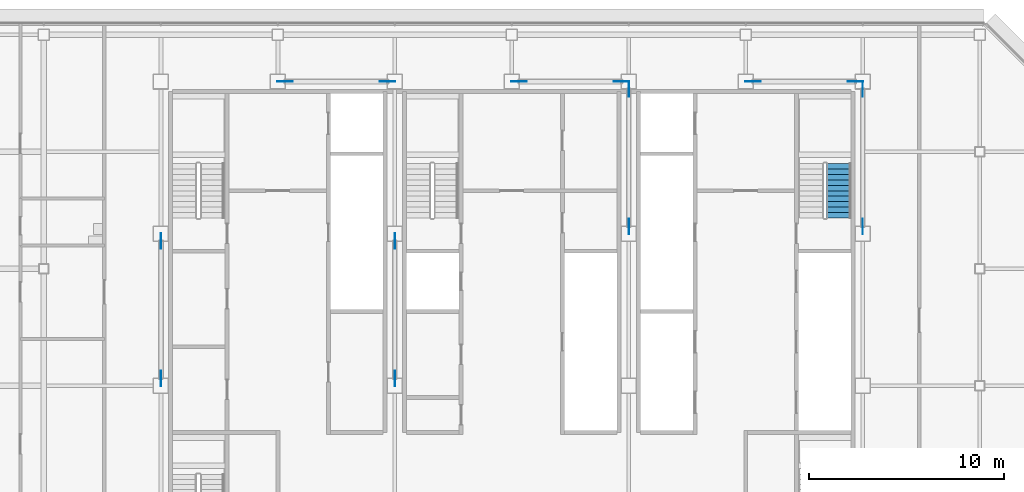
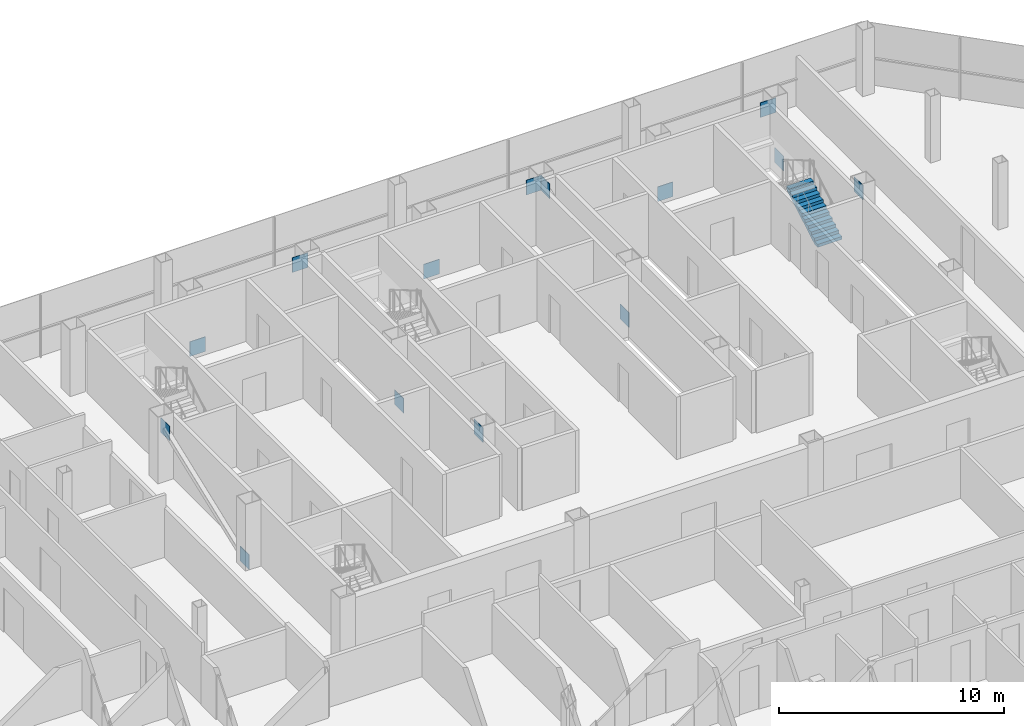
# One storey, part 26 of 28: 14 discrete accessories, 1 stair flight, 1 element without a shape of its own.
"""IFC4 building model written with IfcOpenShell, lengths in metres."""

from ifc_helpers import new_model, si_unit, direction, frame, origin, origin_2d, place, context, subcontext, project, spatial, polyline, rectangle, outline, extrude, material, layer, layer_set, type_object, element, aggregate, save


model = new_model("IFC4")

# Units and contexts
model_context = context("Model", 3, precision=1e-05, world=origin(), true_north=direction((0.0, 1.0)))
body_context = subcontext(model_context, "Body", "Model", "MODEL_VIEW")
ifc_project = project(units=[si_unit("LENGTHUNIT", "METRE"), si_unit("AREAUNIT", "SQUARE_METRE"), si_unit("VOLUMEUNIT", "CUBIC_METRE"), si_unit("PLANEANGLEUNIT", "RADIAN"), si_unit("MASSUNIT", "GRAM", prefix="KILO")], contexts=[model_context])

# Site, building, storey
site_placement = place(None, origin())
site = spatial("IfcSite", under=ifc_project, at=site_placement, CompositionType="ELEMENT")
building_placement = place(site_placement, origin())
building = spatial("IfcBuilding", under=site, at=building_placement, Name="Sorahane Residences", CompositionType="ELEMENT")
storey_placement = place(building_placement, frame((0.0, 0.0, 254.0)))
storey = spatial("IfcBuildingStorey", under=building, at=storey_placement, Name="L60", CompositionType="ELEMENT", Elevation=254.0)

# Stair, stair flight
ifc_material_1 = material(Name="Concrete C40", Category="concrete")
stair_type = type_object("IfcStairType", Name="Dog-leg stair 1250 Concrete C40", PredefinedType="HALF_TURN_STAIR", material=ifc_material_1)
stair_placement = place(storey_placement, origin())
stair = element("IfcStair", 1, at=stair_placement, inside=storey, type_object=stair_type, Name="L60 Stair S2", PredefinedType="HALF_TURN_STAIR")
ifc_material_2 = material(Name="Concrete C40", Category="concrete")
stair_flight_type = type_object("IfcStairFlightType", Name="Stair flight 1250 Concrete C40", PredefinedType="STRAIGHT", material=ifc_material_2)
stair_flight_placement = place(storey_placement, frame((40.77490234375, 38.60009765625, 0.0), z_axis=(0.0, 0.0, 1.0), x_axis=(0.0, 1.0, 0.0)))
stair_flight = element("IfcStairFlight", 2, at=stair_flight_placement, type_object=stair_flight_type, Name="S2 flight 1", NumberOfRisers=11, NumberOfTreads=10, PredefinedType="STRAIGHT", RiserHeight=0.163636364, TreadLength=0.28, context=body_context, shape_type="SweptSolid", body=[
    extrude(outline(polyline([(-0.00146484375, 0.0), (-0.00146484375, 0.16357421875), (0.0, 0.16357421875), (0.280029296875, 0.16357421875), (0.280029296875, 0.327392578125), (0.56005859375, 0.327392578125), (0.56005859375, 0.490966796875), (0.840087890625, 0.490966796875), (0.840087890625, 0.654541015625), (1.1201171875, 0.654541015625), (1.1201171875, 0.818115234375), (1.39990234375, 0.818115234375), (1.39990234375, 0.98193359375), (1.679931640625, 0.98193359375), (1.679931640625, 1.1455078125), (1.9599609375, 1.1455078125), (1.9599609375, 1.30908203125), (2.239990234375, 1.30908203125), (2.239990234375, 1.47265625), (2.52001953125, 1.47265625), (2.52001953125, 1.636474609375), (2.800048828125, 1.636474609375), (2.800048828125, 1.800048828125), (2.800048828125, 1.462646484375), (2.59130859375, 1.3408203125), (2.3828125, 1.218994140625), (2.17431640625, 1.09716796875), (1.965576171875, 0.97509765625), (1.757080078125, 0.853271484375), (1.548583984375, 0.7314453125), (1.340087890625, 0.609375), (1.13134765625, 0.487548828125), (0.9228515625, 0.36572265625), (0.71435546875, 0.243896484375), (0.505615234375, 0.121826171875), (0.297119140625, 0.0), (-0.00146484375, 0.0)])), frame((0.0, 0.625, 0.0), z_axis=(0.0, -1.0, 0.0), x_axis=(1.0, 0.0, 0.0)), (0.0, 0.0, 1.0), 1.25),
])
aggregate(stair, [stair_flight])

# Discrete accessories
ifc_material_3 = material(Name="Steel Q355B", Category="steel")
ifc_layer = layer(ifc_material_3, 0.02490234375)
ifc_layer_set = layer_set([ifc_layer], Name="Node plate Steel Q355B 25")
discrete_accessory_type = type_object("IfcDiscreteAccessoryType", Name="Node plate Steel Q355B 25", PredefinedType="BRACKET", material=ifc_layer_set)
for number, where, z_axis, x_axis, name in (
    (3, (6.0, 30.373291015625, -0.28515625), (0.0, 0.0, 1.0), (0.0, 1.0, 0.0), "Node plate L60 br"),
    (4, (6.0, 37.4267578125, 2.4150390625), (0.0, 0.0, 1.0), (0.0, 1.0, 0.0), "Node plate L60 br"),
    (5, (18.0, 37.4267578125, -0.28515625), (0.0, 0.0, 1.0), (0.0, 1.0, 0.0), "Node plate L60 br"),
    (6, (18.0, 30.373291015625, 2.4150390625), (0.0, 0.0, 1.0), (0.0, 1.0, 0.0), "Node plate L60 br"),
    (7, (30.0, 38.173095703125, -0.28515625), (0.0, 0.0, 1.0), (0.0, 1.0, 0.0), "Node plate L60 br"),
    (8, (30.0, 45.226806640625, 2.4150390625), (0.0, 0.0, 1.0), (0.0, 1.0, 0.0), "Node plate L60 br"),
    (9, (42.0, 45.226806640625, -0.28515625), (0.0, 0.0, 1.0), (0.0, 1.0, 0.0), "Node plate L60 br"),
    (10, (42.0, 38.173095703125, 2.4150390625), (0.0, 0.0, 1.0), (0.0, 1.0, 0.0), "Node plate L60 br"),
    (11, (12.365478515625, 45.60009765625, -0.29248046875), (0.0, 0.0, 1.0), (1.0, 0.0, 0.0), "Node plate L60 br"),
    (12, (24.365478515625, 45.60009765625, -0.29248046875), (0.0, 0.0, 1.0), (1.0, 0.0, 0.0), "Node plate L60 br"),
    (13, (36.365478515625, 45.60009765625, -0.29248046875), (0.0, 0.0, 1.0), (1.0, 0.0, 0.0), "Node plate L60 br"),
    (14, (17.634521484375, 45.60009765625, 2.4228515625), (0.0, 0.0, 1.0), (1.0, 0.0, 0.0), "Node plate L60 br"),
    (15, (29.634521484375, 45.60009765625, 2.4228515625), (0.0, 0.0, 1.0), (1.0, 0.0, 0.0), "Node plate L60 br"),
    (16, (41.634521484375, 45.60009765625, 2.4228515625), (0.0, 0.0, 1.0), (1.0, 0.0, 0.0), "Node plate L60 br"),
):
    element("IfcDiscreteAccessory", number, at=place(storey_placement, frame(where, z_axis=z_axis, x_axis=x_axis)), inside=storey, type_object=discrete_accessory_type, Name=name, PredefinedType="BRACKET", context=body_context, shape_type="SweptSolid", body=[
        extrude(rectangle(XDim=0.800048828125, YDim=0.02490234375, at=origin_2d()), origin(), (0.0, 0.0, 1.0), 0.800048828125),
    ])

save(model, "model.ifc")
